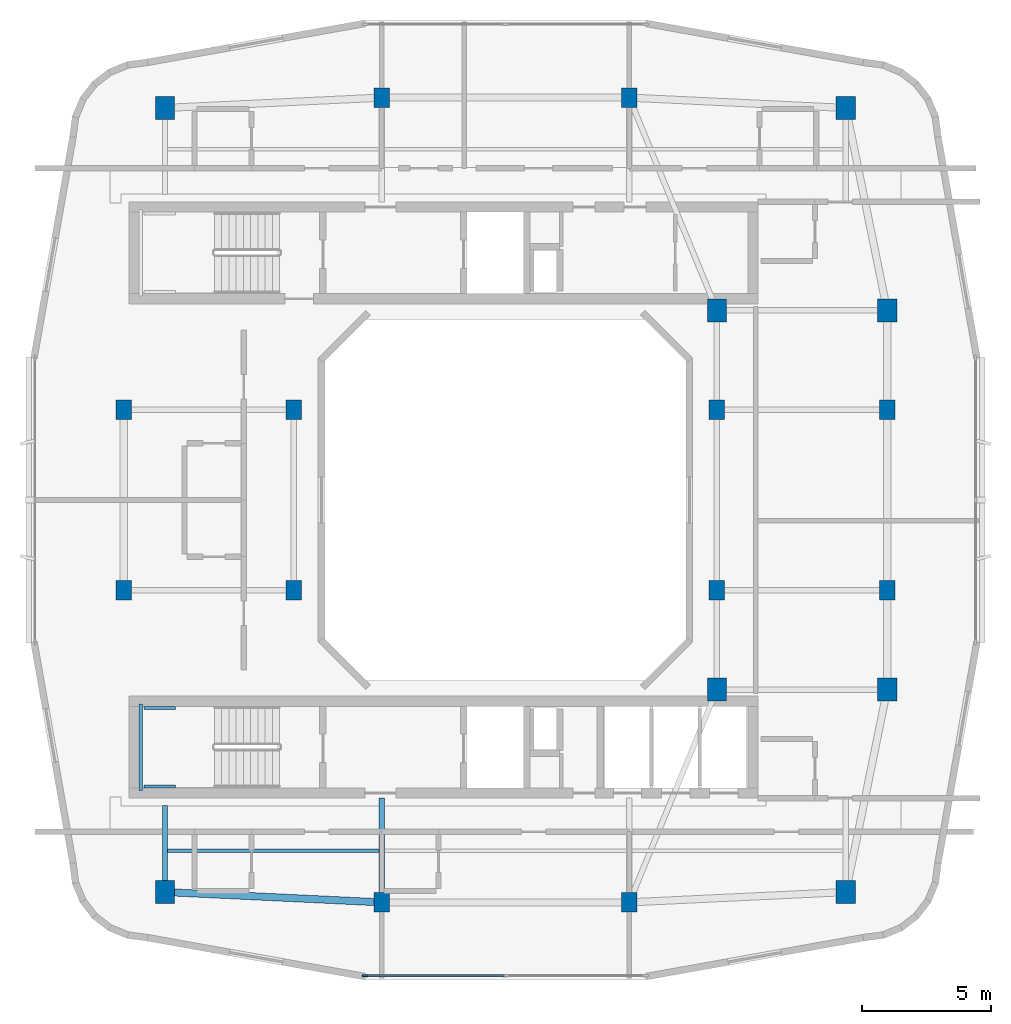
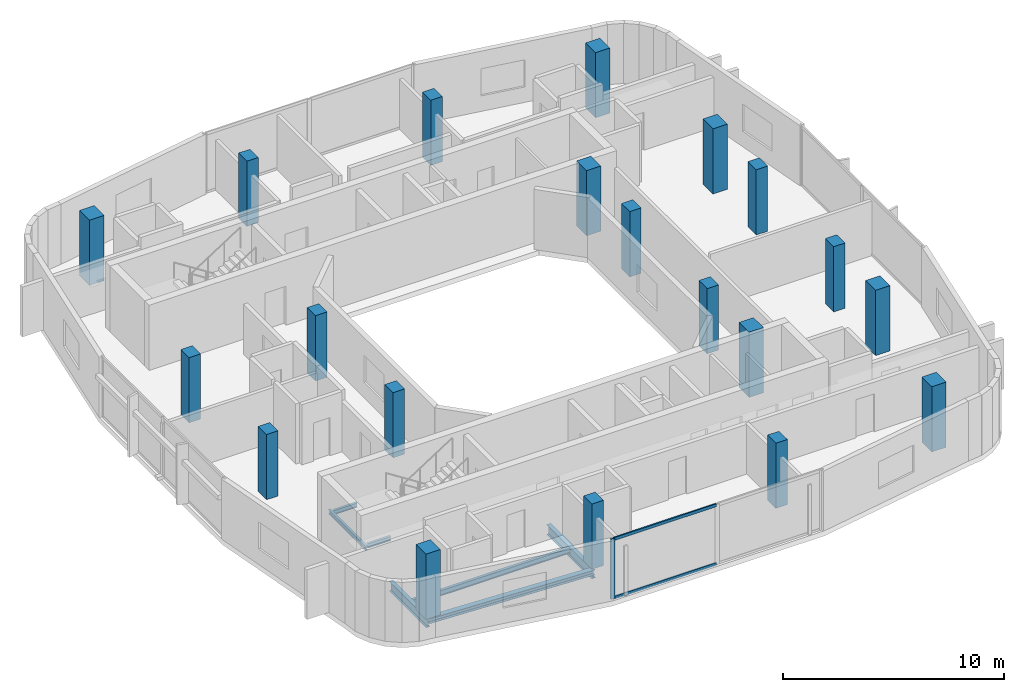
# One storey, part 1 of 10: 20 columns, 7 beams, 3 members, 1 element without a shape of its own.
"""IFC4 building model written with IfcOpenShell, lengths in metres."""

from ifc_helpers import new_model, si_unit, derived_unit, direction, frame, origin, origin_2d, place, context, subcontext, project, spatial, rectangle, i_section, extrude, material, layer, layer_set, material_profile, profile_set, type_object, element, aggregate, save


model = new_model("IFC4")

# Units and contexts
model_context = context("Model", 3, precision=1e-05, world=origin(), true_north=direction((0.0, 1.0)))
body_context = subcontext(model_context, "Body", "Model", "MODEL_VIEW")
ifc_project = project(units=[si_unit("LENGTHUNIT", "METRE"), si_unit("AREAUNIT", "SQUARE_METRE"), si_unit("VOLUMEUNIT", "CUBIC_METRE"), si_unit("PLANEANGLEUNIT", "RADIAN"), si_unit("MASSUNIT", "GRAM", prefix="KILO"), derived_unit("THERMALTRANSMITTANCEUNIT", [(si_unit("POWERUNIT", "WATT"), 1), (si_unit("LENGTHUNIT", "METRE"), -2), (si_unit("THERMODYNAMICTEMPERATUREUNIT", "KELVIN"), -1)])], contexts=[model_context])

# Site, building, storey
site_placement = place(None, origin())
site = spatial("IfcSite", under=ifc_project, at=site_placement, CompositionType="ELEMENT")
building_placement = place(site_placement, origin())
building = spatial("IfcBuilding", under=site, at=building_placement, Name="Kivonza Crest Hotel", CompositionType="ELEMENT")
storey_placement = place(building_placement, frame((0.0, 0.0, 246.800048828125)))
storey = spatial("IfcBuildingStorey", under=building, at=storey_placement, Name="L67", CompositionType="ELEMENT", Elevation=246.800048828125)

# Columns
ifc_material_1 = material(Name="Concrete C50/60", Category="concrete")
ifc_material_profile_1 = material_profile(ifc_material_1, rectangle(XDim=0.60009765625, YDim=0.75, at=origin_2d()), Name="RC 750x600")
ifc_profile_set_1 = profile_set([ifc_material_profile_1], Name="Concrete C50/60")
column_type_1 = type_object("IfcColumnType", Name="CL-RC-750x600", PredefinedType="COLUMN", material=ifc_profile_set_1)
for number, where, z_axis, x_axis, name in (
    (1, (16.199951171875, 9.39990234375, 0.0), (0.0, 0.0, 1.0), (1.0, 0.0, 0.0), "Tower T1 L67 column S1"),
    (2, (25.800048828125, 9.39990234375, 0.0), (0.0, 0.0, 1.0), (1.0, 0.0, 0.0), "Tower T1 L67 column S2"),
    (3, (16.199951171875, 40.60009765625, 0.0), (0.0, 0.0, 1.0), (1.0, 0.0, 0.0), "Tower T1 L67 column N1"),
    (4, (25.800048828125, 40.60009765625, 0.0), (0.0, 0.0, 1.0), (1.0, 0.0, 0.0), "Tower T1 L67 column N2"),
    (5, (6.199951171875, 21.5, 0.0), (0.0, 0.0, 1.0), (1.0, 0.0, 0.0), "Tower T1 L67 column W1"),
    (6, (6.199951171875, 28.5, 0.0), (0.0, 0.0, 1.0), (1.0, 0.0, 0.0), "Tower T1 L67 column W2"),
    (7, (35.800048828125, 21.5, 0.0), (0.0, 0.0, 1.0), (1.0, 0.0, 0.0), "Tower T1 L67 column E1"),
    (8, (35.800048828125, 28.5, 0.0), (0.0, 0.0, 1.0), (1.0, 0.0, 0.0), "Tower T1 L67 column E2"),
    (9, (12.800048828125, 21.5, 0.0), (0.0, 0.0, 1.0), (1.0, 0.0, 0.0), "Tower T1 L67 column WL1"),
    (10, (12.800048828125, 28.5, 0.0), (0.0, 0.0, 1.0), (1.0, 0.0, 0.0), "Tower T1 L67 column WL2"),
    (11, (29.199951171875, 21.5, 0.0), (0.0, 0.0, 1.0), (1.0, 0.0, 0.0), "Tower T1 L67 column WR1"),
    (12, (29.199951171875, 28.5, 0.0), (0.0, 0.0, 1.0), (1.0, 0.0, 0.0), "Tower T1 L67 column WR2"),
):
    element("IfcColumn", number, at=place(storey_placement, frame(where, z_axis=z_axis, x_axis=x_axis)), inside=storey, type_object=column_type_1, Name=name, PredefinedType="COLUMN", context=body_context, shape_type="SweptSolid", body=[
        extrude(rectangle(XDim=0.60009765625, YDim=0.75, at=origin_2d()), origin(), (0.0, 0.0, 1.0), 3.599853515625),
    ])
ifc_material_profile_2 = material_profile(ifc_material_1, rectangle(XDim=0.75, YDim=0.89990234375, at=origin_2d()), Name="RC 900x750")
ifc_profile_set_2 = profile_set([ifc_material_profile_2], Name="Concrete C50/60")
column_type_2 = type_object("IfcColumnType", Name="CL-RC-900x750", PredefinedType="COLUMN", material=ifc_profile_set_2)
for number, where, z_axis, x_axis, name in (
    (13, (7.800048828125, 9.800048828125, 0.0), (0.0, 0.0, 1.0), (1.0, 0.0, 0.0), "Tower T1 L67 column SW"),
    (14, (34.199951171875, 9.800048828125, 0.0), (0.0, 0.0, 1.0), (1.0, 0.0, 0.0), "Tower T1 L67 column SE"),
    (15, (34.199951171875, 40.199951171875, 0.0), (0.0, 0.0, 1.0), (1.0, 0.0, 0.0), "Tower T1 L67 column NE"),
    (16, (7.800048828125, 40.199951171875, 0.0), (0.0, 0.0, 1.0), (1.0, 0.0, 0.0), "Tower T1 L67 column NW"),
    (17, (35.800048828125, 17.64990234375, 0.0), (0.0, 0.0, 1.0), (1.0, 0.0, 0.0), "Tower T1 L67 column PSE"),
    (18, (35.800048828125, 32.35009765625, 0.0), (0.0, 0.0, 1.0), (1.0, 0.0, 0.0), "Tower T1 L67 column PNE"),
    (19, (29.199951171875, 17.64990234375, 0.0), (0.0, 0.0, 1.0), (1.0, 0.0, 0.0), "Tower T1 L67 column TSE"),
    (20, (29.199951171875, 32.35009765625, 0.0), (0.0, 0.0, 1.0), (1.0, 0.0, 0.0), "Tower T1 L67 column TNE"),
):
    element("IfcColumn", number, at=place(storey_placement, frame(where, z_axis=z_axis, x_axis=x_axis)), inside=storey, type_object=column_type_2, Name=name, PredefinedType="COLUMN", context=body_context, shape_type="SweptSolid", body=[
        extrude(rectangle(XDim=0.75, YDim=0.89990234375, at=origin_2d()), origin(), (0.0, 0.0, 1.0), 3.599853515625),
    ])

# Beams
ifc_material_2 = material(Name="Steel S355", Category="steel")
ifc_material_profile_3 = material_profile(ifc_material_2, i_section(OverallWidth=0.280029296875, OverallDepth=0.280029296875, WebThickness=0.010498046875, FlangeThickness=0.01806640625, FilletRadius=0.02392578125, at=origin_2d()), Name="HEB 280")
ifc_profile_set_3 = profile_set([ifc_material_profile_3], Name="Steel S355")
beam_type_1 = type_object("IfcBeamType", Name="BM-HEB280", PredefinedType="SPANDREL", material=ifc_profile_set_3)
beam_1_placement = place(storey_placement, frame((7.800048828125, 9.800048828125, -0.420166015625), z_axis=(0.998867283688, -0.047583080799, 0.0), x_axis=(0.047583080799, 0.998867283688, 0.0)))
element("IfcBeam", 21, at=beam_1_placement, inside=storey, type_object=beam_type_1, Name="Tower T1 L67 perimeter spandrel SW-S1", PredefinedType="SPANDREL", context=body_context, shape_type="SweptSolid", body=[
    extrude(i_section(OverallWidth=0.280029296875, OverallDepth=0.280029296875, WebThickness=0.010498046875, FlangeThickness=0.01806640625, FilletRadius=0.02392578125, at=origin_2d()), origin(), (0.0, 0.0, 1.0), 8.409423828125),
])
ifc_material_profile_4 = material_profile(ifc_material_2, i_section(OverallWidth=0.14990234375, OverallDepth=0.300048828125, WebThickness=0.007080078125, FlangeThickness=0.0107421875, FilletRadius=0.014892578125, at=origin_2d()), Name="IPE 300")
ifc_profile_set_4 = profile_set([ifc_material_profile_4], Name="Steel S355")
beam_type_2 = type_object("IfcBeamType", Name="BM-IPE300", PredefinedType="JOIST", material=ifc_profile_set_4)
beam_2_placement = place(storey_placement, frame((7.8798828125, 11.39990234375, -0.429931640625), z_axis=(1.0, 0.0, 0.0), x_axis=(0.0, 1.0, 0.0)))
element("IfcBeam", 22, at=beam_2_placement, inside=storey, type_object=beam_type_2, Name="Tower T1 L67 South-West floor joist", PredefinedType="JOIST", context=body_context, shape_type="SweptSolid", body=[
    extrude(i_section(OverallWidth=0.14990234375, OverallDepth=0.300048828125, WebThickness=0.007080078125, FlangeThickness=0.0107421875, FilletRadius=0.014892578125, at=origin_2d()), origin(), (0.0, 0.0, 1.0), 8.240234375),
])
ifc_material_profile_5 = material_profile(ifc_material_2, i_section(OverallWidth=0.2099609375, OverallDepth=0.550048828125, WebThickness=0.010986328125, FlangeThickness=0.01708984375, FilletRadius=0.02392578125, at=origin_2d()), Name="IPE 550")
ifc_profile_set_5 = profile_set([ifc_material_profile_5], Name="Steel S355")
beam_type_3 = type_object("IfcBeamType", Name="BM-IPE550", PredefinedType="BEAM", material=ifc_profile_set_5)
beam_3_placement = place(storey_placement, frame((7.800048828125, 9.800048828125, -0.554931640625), z_axis=(0.0, 1.0, 0.0), x_axis=(-1.0, 0.0, 0.0)))
element("IfcBeam", 23, at=beam_3_placement, inside=storey, type_object=beam_type_3, Name="Tower T1 L67 radial core girder RSW", PredefinedType="BEAM", context=body_context, shape_type="SweptSolid", body=[
    extrude(i_section(OverallWidth=0.2099609375, OverallDepth=0.550048828125, WebThickness=0.010986328125, FlangeThickness=0.01708984375, FilletRadius=0.02392578125, at=origin_2d()), origin(), (0.0, 0.0, 1.0), 3.349853515625),
])
beam_4_placement = place(storey_placement, frame((16.199951171875, 9.39990234375, -0.554931640625), z_axis=(0.0, 1.0, 0.0), x_axis=(-1.0, 0.0, 0.0)))
element("IfcBeam", 24, at=beam_4_placement, inside=storey, type_object=beam_type_3, Name="Tower T1 L67 radial core girder RS1", PredefinedType="BEAM", context=body_context, shape_type="SweptSolid", body=[
    extrude(i_section(OverallWidth=0.2099609375, OverallDepth=0.550048828125, WebThickness=0.010986328125, FlangeThickness=0.01708984375, FilletRadius=0.02392578125, at=origin_2d()), origin(), (0.0, 0.0, 1.0), 4.050048828125),
])
ifc_material_profile_6 = material_profile(ifc_material_2, i_section(OverallWidth=0.1201171875, OverallDepth=0.239990234375, WebThickness=0.006103515625, FlangeThickness=0.009765625, FilletRadius=0.014892578125, at=origin_2d()), Name="IPE 240")
ifc_profile_set_6 = profile_set([ifc_material_profile_6], Name="Steel S355")
beam_type_4 = type_object("IfcBeamType", Name="BM-LLDG-240", PredefinedType="BEAM", material=ifc_profile_set_6)
beam_5_placement = place(storey_placement, frame((6.860107421875, 13.739990234375, 1.47998046875), z_axis=(0.0, 1.0, 0.0), x_axis=(-1.0, 0.0, 0.0)))
element("IfcBeam", 25, at=beam_5_placement, inside=storey, type_object=beam_type_4, Name="Stair ST-T1-S L67 West landing corbel", PredefinedType="BEAM", context=body_context, shape_type="SweptSolid", body=[
    extrude(i_section(OverallWidth=0.1201171875, OverallDepth=0.239990234375, WebThickness=0.006103515625, FlangeThickness=0.009765625, FilletRadius=0.014892578125, at=origin_2d()), origin(), (0.0, 0.0, 1.0), 3.360107421875),
])
for number, where, z_axis, x_axis, name in (
    (26, (6.989990234375, 13.89990234375, 1.47998046875), (1.0, 0.0, 0.0), (0.0, 1.0, 0.0), "Stair ST-T1-S L67 South landing corbel"),
    (27, (6.989990234375, 16.93994140625, 1.47998046875), (1.0, 0.0, 0.0), (0.0, 1.0, 0.0), "Stair ST-T1-S L67 North landing corbel"),
):
    element("IfcBeam", number, at=place(storey_placement, frame(where, z_axis=z_axis, x_axis=x_axis)), inside=storey, type_object=beam_type_4, Name=name, PredefinedType="BEAM", context=body_context, shape_type="SweptSolid", body=[
        extrude(i_section(OverallWidth=0.1201171875, OverallDepth=0.239990234375, WebThickness=0.006103515625, FlangeThickness=0.009765625, FilletRadius=0.014892578125, at=origin_2d()), origin(), (0.0, 0.0, 1.0), 1.2099609375),
    ])

# Curtain wall, members
ifc_material_3 = material(Name="Anodised bronze aluminium and low-E double glazing", Category="aluminium")
ifc_layer = layer(ifc_material_3, 0.179931640625)
ifc_layer_set = layer_set([ifc_layer], Name="Anodised bronze aluminium and low-E double glazing")
curtain_wall_type = type_object("IfcCurtainWallType", Name="CW-SYS-3", PredefinedType="NOTDEFINED", material=ifc_layer_set)
curtain_wall_placement = place(storey_placement, origin())
curtain_wall = element("IfcCurtainWall", 28, at=curtain_wall_placement, inside=storey, type_object=curtain_wall_type, Name="L67 unitised curtain wall CW-T1-L67-08", PredefinedType="NOTDEFINED")
ifc_material_4 = material(Name="Anodised bronze aluminium", Category="aluminium")
ifc_material_profile_7 = material_profile(ifc_material_4, rectangle(XDim=0.074951171875, YDim=0.219970703125, at=origin_2d()), Name="CW-M 75x220")
ifc_profile_set_7 = profile_set([ifc_material_profile_7], Name="Anodised bronze aluminium")
member_type_1 = type_object("IfcMemberType", Name="CW-MUL-75x220", PredefinedType="MULLION", material=ifc_profile_set_7)
member_1_placement = place(storey_placement, frame((15.5576171875, 6.56005859375, 0.0), z_axis=(0.0, 0.0, 1.0), x_axis=(0.0, 1.0, 0.0)))
member_1 = element("IfcMember", 29, at=member_1_placement, type_object=member_type_1, Name="CW-3 mullion 1", PredefinedType="MULLION", context=body_context, shape_type="SweptSolid", body=[
    extrude(rectangle(XDim=0.074951171875, YDim=0.219970703125, at=origin_2d()), origin(), (0.0, 0.0, 1.0), 3.320068359375),
])
ifc_material_profile_8 = material_profile(ifc_material_4, rectangle(XDim=0.074951171875, YDim=0.159912109375, at=origin_2d()), Name="CW-T 75x160")
ifc_profile_set_8 = profile_set([ifc_material_profile_8], Name="Anodised bronze aluminium")
member_type_2 = type_object("IfcMemberType", Name="CW-TRN-75x160", PredefinedType="USERDEFINED", material=ifc_profile_set_8)
member_2_placement = place(storey_placement, frame((15.594970703125, 6.56005859375, 0.037353515625), z_axis=(1.0, 0.0, 0.0), x_axis=(0.0, 1.0, 0.0)))
member_2 = element("IfcMember", 30, at=member_2_placement, type_object=member_type_2, Name="CW-3 transom 1.1", ObjectType="TRANSOM", PredefinedType="USERDEFINED", context=body_context, shape_type="SweptSolid", body=[
    extrude(rectangle(XDim=0.074951171875, YDim=0.159912109375, at=origin_2d()), origin(), (0.0, 0.0, 1.0), 5.367431640625),
])
member_3_placement = place(storey_placement, frame((15.594970703125, 6.56005859375, 3.282470703125), z_axis=(1.0, 0.0, 0.0), x_axis=(0.0, 1.0, 0.0)))
member_3 = element("IfcMember", 31, at=member_3_placement, type_object=member_type_2, Name="CW-3 transom 1.2", ObjectType="TRANSOM", PredefinedType="USERDEFINED", context=body_context, shape_type="SweptSolid", body=[
    extrude(rectangle(XDim=0.074951171875, YDim=0.159912109375, at=origin_2d()), origin(), (0.0, 0.0, 1.0), 5.367431640625),
])
aggregate(curtain_wall, [member_1, member_2, member_3])

save(model, "model.ifc")
